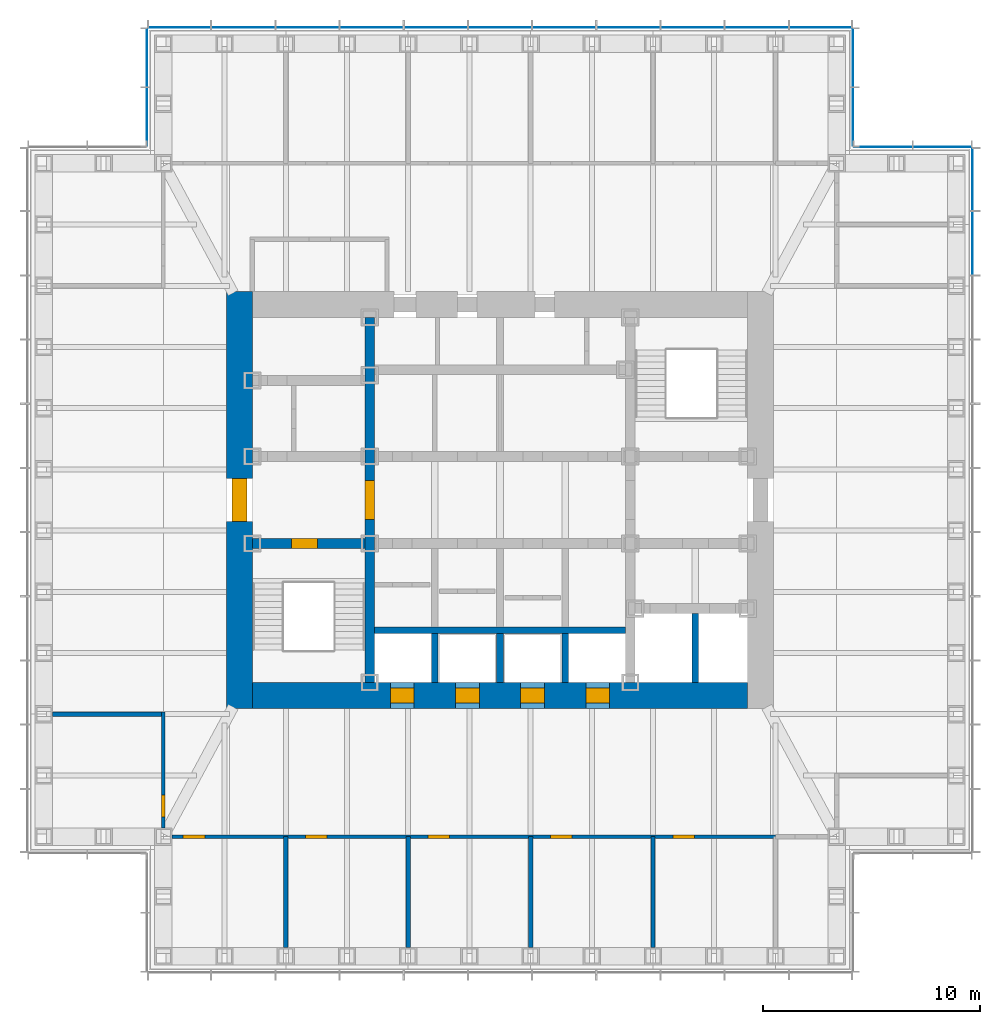
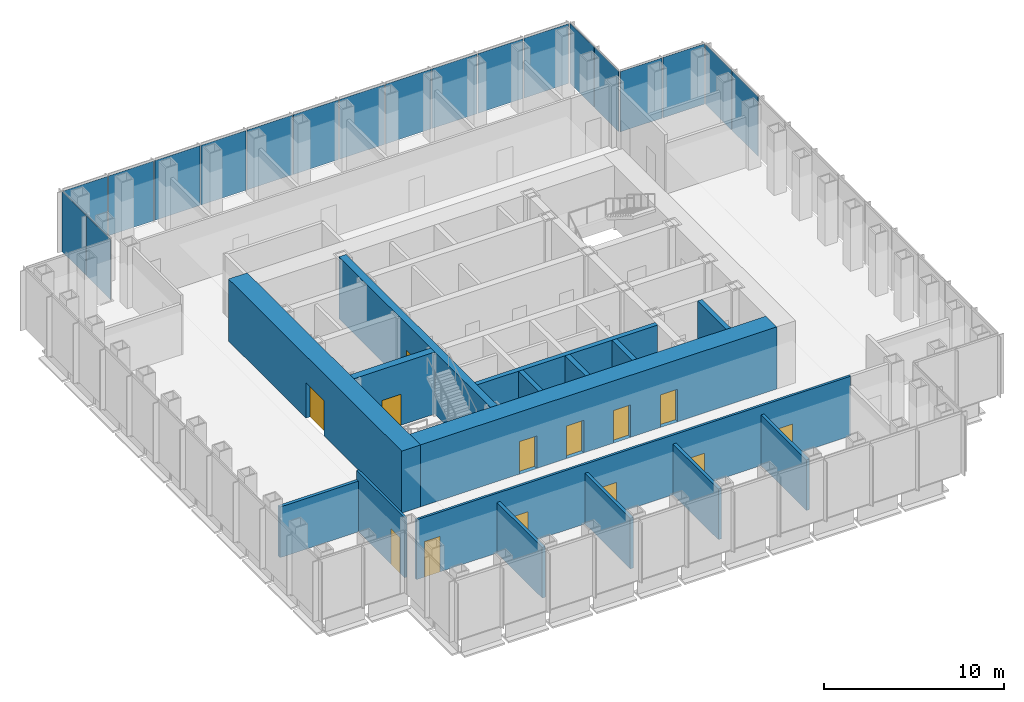
# One storey, part 8 of 16: 19 plates, 16 walls, 13 doors, 13 openings, 5 elements without a shape of their own.
"""IFC4 building model written with IfcOpenShell, lengths in metres."""

from ifc_helpers import new_model, si_unit, direction, frame, frame_2d, origin, origin_2d, place, context, subcontext, project, spatial, rectangle, extrude, material, layer, layer_set, type_object, element, fill, aggregate, save


model = new_model("IFC4")

# Units and contexts
model_context = context("Model", 3, precision=1e-05, world=origin(), true_north=direction((0.0, 1.0)))
body_context = subcontext(model_context, "Body", "Model", "MODEL_VIEW")
ifc_project = project(units=[si_unit("LENGTHUNIT", "METRE"), si_unit("AREAUNIT", "SQUARE_METRE"), si_unit("VOLUMEUNIT", "CUBIC_METRE"), si_unit("PLANEANGLEUNIT", "RADIAN"), si_unit("MASSUNIT", "GRAM", prefix="KILO")], contexts=[model_context])

# Site, building, storey
site_placement = place(None, origin())
site = spatial("IfcSite", under=ifc_project, at=site_placement, CompositionType="ELEMENT")
building_placement = place(site_placement, origin())
building = spatial("IfcBuilding", under=site, at=building_placement, Name="Daluyong Arena Tower", CompositionType="ELEMENT")
storey_placement = place(building_placement, frame((0.0, 0.0, 227.5)))
storey = spatial("IfcBuildingStorey", under=building, at=storey_placement, Name="L51", CompositionType="ELEMENT", Elevation=227.5)

# Curtain wall, plates
ifc_material_1 = material(Name="Bronze anodised aluminium and glass", Category="aluminium")
curtain_wall_type_1 = type_object("IfcCurtainWallType", Name="Curtain wall CW3", PredefinedType="USERDEFINED", material=ifc_material_1)
curtain_wall_1_placement = place(storey_placement, origin())
curtain_wall_1 = element("IfcCurtainWall", 1, at=curtain_wall_1_placement, inside=storey, type_object=curtain_wall_type_1, Name="curtain wall L51 E", ObjectType="UNITISED CURTAIN WALL", PredefinedType="USERDEFINED")
ifc_material_2 = material(Name="Tinted double glazed unit", Category="glass")
ifc_layer_1 = layer(ifc_material_2, 0.030029296875)
ifc_layer_set_1 = layer_set([ifc_layer_1], Name="Tinted double glazed unit")
plate_type_1 = type_object("IfcPlateType", Name="CW3 panel 30", PredefinedType="CURTAIN_PANEL", material=ifc_layer_set_1)
plate_1_placement = place(storey_placement, frame((77.75, 91.818115234375, 0.0), z_axis=(0.0, 0.0, 1.0), x_axis=(0.0, 1.0, 0.0)))
plate_1 = element("IfcPlate", 2, at=plate_1_placement, type_object=plate_type_1, Name="curtain wall L51 E panel 10", PredefinedType="CURTAIN_PANEL", context=body_context, shape_type="SweptSolid", body=[
    extrude(rectangle(XDim=2.884521484375, YDim=0.030029296875, at=origin_2d()), origin(), (0.0, 0.0, 1.0), 4.0400390625),
])
plate_2_placement = place(storey_placement, frame((77.75, 94.755126953125, 0.0), z_axis=(0.0, 0.0, 1.0), x_axis=(0.0, 1.0, 0.0)))
plate_2 = element("IfcPlate", 3, at=plate_2_placement, type_object=plate_type_1, Name="curtain wall L51 E panel 11", PredefinedType="CURTAIN_PANEL", context=body_context, shape_type="SweptSolid", body=[
    extrude(rectangle(XDim=2.849609375, YDim=0.030029296875, at=origin_2d()), origin(), (0.0, 0.0, 1.0), 4.0400390625),
])
aggregate(curtain_wall_1, [plate_1, plate_2])

curtain_wall_2_placement = place(storey_placement, origin())
curtain_wall_2 = element("IfcCurtainWall", 4, at=curtain_wall_2_placement, inside=storey, type_object=curtain_wall_type_1, Name="curtain wall L51 N", ObjectType="UNITISED CURTAIN WALL", PredefinedType="USERDEFINED")
plate_3_placement = place(storey_placement, frame((70.755126953125, 101.75, 0.0), z_axis=(0.0, 0.0, 1.0), x_axis=(-1.0, 0.0, 0.0)))
plate_3 = element("IfcPlate", 5, at=plate_3_placement, type_object=plate_type_1, Name="curtain wall L51 N panel 1", PredefinedType="CURTAIN_PANEL", context=body_context, shape_type="SweptSolid", body=[
    extrude(rectangle(XDim=2.849609375, YDim=0.030029296875, at=origin_2d()), origin(), (0.0, 0.0, 1.0), 4.0400390625),
])
plate_4_placement = place(storey_placement, frame((67.818115234375, 101.75, 0.0), z_axis=(0.0, 0.0, 1.0), x_axis=(-1.0, 0.0, 0.0)))
plate_4 = element("IfcPlate", 6, at=plate_4_placement, type_object=plate_type_1, Name="curtain wall L51 N panel 2", PredefinedType="CURTAIN_PANEL", context=body_context, shape_type="SweptSolid", body=[
    extrude(rectangle(XDim=2.884521484375, YDim=0.030029296875, at=origin_2d()), origin(), (0.0, 0.0, 1.0), 4.0400390625),
])
plate_5_placement = place(storey_placement, frame((64.863525390625, 101.75, 0.0), z_axis=(0.0, 0.0, 1.0), x_axis=(-1.0, 0.0, 0.0)))
plate_5 = element("IfcPlate", 7, at=plate_5_placement, type_object=plate_type_1, Name="curtain wall L51 N panel 3", PredefinedType="CURTAIN_PANEL", context=body_context, shape_type="SweptSolid", body=[
    extrude(rectangle(XDim=2.884521484375, YDim=0.030029296875, at=origin_2d()), origin(), (0.0, 0.0, 1.0), 4.0400390625),
])
plate_6_placement = place(storey_placement, frame((61.9091796875, 101.75, 0.0), z_axis=(0.0, 0.0, 1.0), x_axis=(-1.0, 0.0, 0.0)))
plate_6 = element("IfcPlate", 8, at=plate_6_placement, type_object=plate_type_1, Name="curtain wall L51 N panel 4", PredefinedType="CURTAIN_PANEL", context=body_context, shape_type="SweptSolid", body=[
    extrude(rectangle(XDim=2.884521484375, YDim=0.030029296875, at=origin_2d()), origin(), (0.0, 0.0, 1.0), 4.0400390625),
])
plate_7_placement = place(storey_placement, frame((58.95458984375, 101.75, 0.0), z_axis=(0.0, 0.0, 1.0), x_axis=(-1.0, 0.0, 0.0)))
plate_7 = element("IfcPlate", 9, at=plate_7_placement, type_object=plate_type_1, Name="curtain wall L51 N panel 5", PredefinedType="CURTAIN_PANEL", context=body_context, shape_type="SweptSolid", body=[
    extrude(rectangle(XDim=2.884521484375, YDim=0.030029296875, at=origin_2d()), origin(), (0.0, 0.0, 1.0), 4.0400390625),
])
plate_8_placement = place(storey_placement, frame((56.0, 101.75, 0.0), z_axis=(0.0, 0.0, 1.0), x_axis=(-1.0, 0.0, 0.0)))
plate_8 = element("IfcPlate", 10, at=plate_8_placement, type_object=plate_type_1, Name="curtain wall L51 N panel 6", PredefinedType="CURTAIN_PANEL", context=body_context, shape_type="SweptSolid", body=[
    extrude(rectangle(XDim=2.884521484375, YDim=0.030029296875, at=origin_2d()), origin(), (0.0, 0.0, 1.0), 4.0400390625),
])
plate_9_placement = place(storey_placement, frame((53.04541015625, 101.75, 0.0), z_axis=(0.0, 0.0, 1.0), x_axis=(-1.0, 0.0, 0.0)))
plate_9 = element("IfcPlate", 11, at=plate_9_placement, type_object=plate_type_1, Name="curtain wall L51 N panel 7", PredefinedType="CURTAIN_PANEL", context=body_context, shape_type="SweptSolid", body=[
    extrude(rectangle(XDim=2.884521484375, YDim=0.030029296875, at=origin_2d()), origin(), (0.0, 0.0, 1.0), 4.0400390625),
])
plate_10_placement = place(storey_placement, frame((50.0908203125, 101.75, 0.0), z_axis=(0.0, 0.0, 1.0), x_axis=(-1.0, 0.0, 0.0)))
plate_10 = element("IfcPlate", 12, at=plate_10_placement, type_object=plate_type_1, Name="curtain wall L51 N panel 8", PredefinedType="CURTAIN_PANEL", context=body_context, shape_type="SweptSolid", body=[
    extrude(rectangle(XDim=2.884521484375, YDim=0.030029296875, at=origin_2d()), origin(), (0.0, 0.0, 1.0), 4.0400390625),
])
plate_11_placement = place(storey_placement, frame((47.136474609375, 101.75, 0.0), z_axis=(0.0, 0.0, 1.0), x_axis=(-1.0, 0.0, 0.0)))
plate_11 = element("IfcPlate", 13, at=plate_11_placement, type_object=plate_type_1, Name="curtain wall L51 N panel 9", PredefinedType="CURTAIN_PANEL", context=body_context, shape_type="SweptSolid", body=[
    extrude(rectangle(XDim=2.884521484375, YDim=0.030029296875, at=origin_2d()), origin(), (0.0, 0.0, 1.0), 4.0400390625),
])
plate_12_placement = place(storey_placement, frame((44.181884765625, 101.75, 0.0), z_axis=(0.0, 0.0, 1.0), x_axis=(-1.0, 0.0, 0.0)))
plate_12 = element("IfcPlate", 14, at=plate_12_placement, type_object=plate_type_1, Name="curtain wall L51 N panel 10", PredefinedType="CURTAIN_PANEL", context=body_context, shape_type="SweptSolid", body=[
    extrude(rectangle(XDim=2.884521484375, YDim=0.030029296875, at=origin_2d()), origin(), (0.0, 0.0, 1.0), 4.0400390625),
])
plate_13_placement = place(storey_placement, frame((41.244873046875, 101.75, 0.0), z_axis=(0.0, 0.0, 1.0), x_axis=(-1.0, 0.0, 0.0)))
plate_13 = element("IfcPlate", 15, at=plate_13_placement, type_object=plate_type_1, Name="curtain wall L51 N panel 11", PredefinedType="CURTAIN_PANEL", context=body_context, shape_type="SweptSolid", body=[
    extrude(rectangle(XDim=2.849609375, YDim=0.030029296875, at=origin_2d()), origin(), (0.0, 0.0, 1.0), 4.0400390625),
])
aggregate(curtain_wall_2, [plate_3, plate_4, plate_5, plate_6, plate_7, plate_8, plate_9, plate_10, plate_11, plate_12, plate_13])

ifc_material_3 = material(Name="Bronze anodised aluminium and glass", Category="aluminium")
curtain_wall_type_2 = type_object("IfcCurtainWallType", Name="Curtain wall CW7", PredefinedType="USERDEFINED", material=ifc_material_3)
curtain_wall_3_placement = place(storey_placement, origin())
curtain_wall_3 = element("IfcCurtainWall", 16, at=curtain_wall_3_placement, inside=storey, type_object=curtain_wall_type_2, Name="curtain wall L51 NE-N", ObjectType="UNITISED CURTAIN WALL", PredefinedType="USERDEFINED")
ifc_material_4 = material(Name="Tinted double glazed unit", Category="glass")
ifc_layer_2 = layer(ifc_material_4, 0.028076171875)
ifc_layer_set_2 = layer_set([ifc_layer_2], Name="Tinted double glazed unit")
plate_type_2 = type_object("IfcPlateType", Name="CW7 panel 28", PredefinedType="CURTAIN_PANEL", material=ifc_layer_set_2)
plate_14_placement = place(storey_placement, frame((76.360107421875, 96.25, 0.0), z_axis=(0.0, 0.0, 1.0), x_axis=(-1.0, 0.0, 0.0)))
plate_14 = element("IfcPlate", 17, at=plate_14_placement, type_object=plate_type_2, Name="curtain wall L51 NE-N panel 1", PredefinedType="CURTAIN_PANEL", context=body_context, shape_type="SweptSolid", body=[
    extrude(rectangle(XDim=2.659912109375, YDim=0.028076171875, at=origin_2d()), origin(), (0.0, 0.0, 1.0), 4.080078125),
])
plate_15_placement = place(storey_placement, frame((73.639892578125, 96.25, 0.0), z_axis=(0.0, 0.0, 1.0), x_axis=(-1.0, 0.0, 0.0)))
plate_15 = element("IfcPlate", 18, at=plate_15_placement, type_object=plate_type_2, Name="curtain wall L51 NE-N panel 2", PredefinedType="CURTAIN_PANEL", context=body_context, shape_type="SweptSolid", body=[
    extrude(rectangle(XDim=2.659912109375, YDim=0.028076171875, at=origin_2d()), origin(), (0.0, 0.0, 1.0), 4.080078125),
])
aggregate(curtain_wall_3, [plate_14, plate_15])

curtain_wall_4_placement = place(storey_placement, origin())
curtain_wall_4 = element("IfcCurtainWall", 19, at=curtain_wall_4_placement, inside=storey, type_object=curtain_wall_type_2, Name="curtain wall L51 NE-E", ObjectType="UNITISED CURTAIN WALL", PredefinedType="USERDEFINED")
plate_16_placement = place(storey_placement, frame((72.25, 97.639892578125, 0.0), z_axis=(0.0, 0.0, 1.0), x_axis=(0.0, 1.0, 0.0)))
plate_16 = element("IfcPlate", 20, at=plate_16_placement, type_object=plate_type_2, Name="curtain wall L51 NE-E panel 1", PredefinedType="CURTAIN_PANEL", context=body_context, shape_type="SweptSolid", body=[
    extrude(rectangle(XDim=2.659912109375, YDim=0.028076171875, at=origin_2d()), origin(), (0.0, 0.0, 1.0), 4.080078125),
])
plate_17_placement = place(storey_placement, frame((72.25, 100.360107421875, 0.0), z_axis=(0.0, 0.0, 1.0), x_axis=(0.0, 1.0, 0.0)))
plate_17 = element("IfcPlate", 21, at=plate_17_placement, type_object=plate_type_2, Name="curtain wall L51 NE-E panel 2", PredefinedType="CURTAIN_PANEL", context=body_context, shape_type="SweptSolid", body=[
    extrude(rectangle(XDim=2.659912109375, YDim=0.028076171875, at=origin_2d()), origin(), (0.0, 0.0, 1.0), 4.080078125),
])
aggregate(curtain_wall_4, [plate_16, plate_17])

curtain_wall_5_placement = place(storey_placement, origin())
curtain_wall_5 = element("IfcCurtainWall", 22, at=curtain_wall_5_placement, inside=storey, type_object=curtain_wall_type_2, Name="curtain wall L51 NW-W", ObjectType="UNITISED CURTAIN WALL", PredefinedType="USERDEFINED")
plate_18_placement = place(storey_placement, frame((39.75, 100.360107421875, 0.0), z_axis=(0.0, 0.0, 1.0), x_axis=(0.0, -1.0, 0.0)))
plate_18 = element("IfcPlate", 23, at=plate_18_placement, type_object=plate_type_2, Name="curtain wall L51 NW-W panel 1", PredefinedType="CURTAIN_PANEL", context=body_context, shape_type="SweptSolid", body=[
    extrude(rectangle(XDim=2.659912109375, YDim=0.028076171875, at=origin_2d()), origin(), (0.0, 0.0, 1.0), 4.080078125),
])
plate_19_placement = place(storey_placement, frame((39.75, 97.639892578125, 0.0), z_axis=(0.0, 0.0, 1.0), x_axis=(0.0, -1.0, 0.0)))
plate_19 = element("IfcPlate", 24, at=plate_19_placement, type_object=plate_type_2, Name="curtain wall L51 NW-W panel 2", PredefinedType="CURTAIN_PANEL", context=body_context, shape_type="SweptSolid", body=[
    extrude(rectangle(XDim=2.659912109375, YDim=0.028076171875, at=origin_2d()), origin(), (0.0, 0.0, 1.0), 4.080078125),
])
aggregate(curtain_wall_5, [plate_18, plate_19])

# Wall, opening, door
ifc_material_5 = material(Name="Concrete fc' 45 MPa", Category="concrete")
ifc_layer_3 = layer(ifc_material_5, 0.449951171875)
ifc_layer_set_3 = layer_set([ifc_layer_3], Name="Concrete fc' 45 MPa")
wall_type_1 = type_object("IfcWallType", Name="Core inner wall 450", PredefinedType="SHEAR", material=ifc_layer_set_3)
wall_1_placement = place(storey_placement, frame((50.0, 71.60009765625, 0.0), z_axis=(0.0, 0.0, 1.0), x_axis=(0.0, 1.0, 0.0)))
wall_1 = element("IfcWall", 25, at=wall_1_placement, inside=storey, type_object=wall_type_1, Name="core inner wall at L51", PredefinedType="SHEAR", context=body_context, shape_type="SweptSolid", body=[
    extrude(rectangle(XDim=16.7998046875, YDim=0.449951171875, at=frame_2d((8.39990234375, 0.0))), origin(), (0.0, 0.0, 1.0), 4.199951171875),
])
opening_1_placement = place(wall_1_placement, frame((7.5, 0.0, 0.0)))
opening_1 = element("IfcOpeningElement", 26, at=opening_1_placement, cuts=wall_1, Name="Opening 51023", PredefinedType="OPENING", context=body_context, shape_type="SweptSolid", body=[
    extrude(rectangle(XDim=1.800048828125, YDim=2.39990234375, at=frame_2d((0.89990234375, 1.199951171875))), frame((0.0, 0.23486328125, 0.0), z_axis=(0.0, -1.0, 0.0), x_axis=(1.0, 0.0, 0.0)), (0.0, 0.0, 1.0), 0.469970703125),
])
ifc_material_6 = material(Name="Steel door, fire rated", Category="steel")
door_type_1 = type_object("IfcDoorType", Name="Lift lobby opening door 1800", OperationType="DOUBLE_DOOR_SINGLE_SWING", PredefinedType="DOOR", material=ifc_material_6)
door_1_placement = place(opening_1_placement, origin())
door_1 = element("IfcDoor", 27, at=door_1_placement, inside=storey, type_object=door_type_1, Name="lift lobby door west 51023", OperationType="DOUBLE_DOOR_SINGLE_SWING", OverallHeight=2.39990234375, OverallWidth=1.800048828125, PredefinedType="DOOR", context=body_context, shape_type="SweptSolid", body=[
    extrude(rectangle(XDim=1.800048828125, YDim=2.39990234375, at=frame_2d((0.89990234375, 1.199951171875))), frame((0.0, 0.224609375, 0.0), z_axis=(0.0, -1.0, 0.0), x_axis=(1.0, 0.0, 0.0)), (0.0, 0.0, 1.0), 0.449462890625),
])
fill(opening_1, door_1)

wall_2_placement = place(storey_placement, frame((44.60009765625, 78.0, 0.0), z_axis=(0.0, 0.0, 1.0), x_axis=(1.0, 0.0, 0.0)))
wall_2 = element("IfcWall", 28, at=wall_2_placement, inside=storey, type_object=wall_type_1, Name="core inner wall at L51", PredefinedType="SHEAR", context=body_context, shape_type="SweptSolid", body=[
    extrude(rectangle(XDim=5.1748046875, YDim=0.449951171875, at=frame_2d((2.58740234375, 0.0))), origin(), (0.0, 0.0, 1.0), 4.199951171875),
])
opening_2_placement = place(wall_2_placement, frame((1.800048828125, 0.0, 0.0)))
opening_2 = element("IfcOpeningElement", 29, at=opening_2_placement, cuts=wall_2, Name="Opening 51019", PredefinedType="OPENING", context=body_context, shape_type="SweptSolid", body=[
    extrude(rectangle(XDim=1.199951171875, YDim=2.10009765625, at=frame_2d((0.60009765625, 1.050048828125))), frame((0.0, 0.23486328125, 0.0), z_axis=(0.0, -1.0, 0.0), x_axis=(1.0, 0.0, 0.0)), (0.0, 0.0, 1.0), 0.469970703125),
])
ifc_material_7 = material(Name="Steel door, fire rated", Category="steel")
door_type_2 = type_object("IfcDoorType", Name="Stair door 1200", OperationType="SINGLE_SWING_LEFT", PredefinedType="DOOR", material=ifc_material_7)
door_2_placement = place(opening_2_placement, origin())
door_2 = element("IfcDoor", 30, at=door_2_placement, inside=storey, type_object=door_type_2, Name="stair A door 51019", OperationType="SINGLE_SWING_LEFT", OverallHeight=2.10009765625, OverallWidth=1.199951171875, PredefinedType="DOOR", context=body_context, shape_type="SweptSolid", body=[
    extrude(rectangle(XDim=1.199951171875, YDim=2.10009765625, at=frame_2d((0.60009765625, 1.050048828125))), frame((0.0, 0.224609375, 0.0), z_axis=(0.0, -1.0, 0.0), x_axis=(1.0, 0.0, 0.0)), (0.0, 0.0, 1.0), 0.449462890625),
])
fill(opening_2, door_2)

ifc_material_8 = material(Name="Concrete fc' 60 MPa", Category="concrete")
ifc_layer_4 = layer(ifc_material_8, 1.199951171875)
ifc_layer_set_4 = layer_set([ifc_layer_4], Name="Concrete fc' 60 MPa")
wall_type_2 = type_object("IfcWallType", Name="Core wall 1200", PredefinedType="SHEAR", material=ifc_layer_set_4)
wall_3_placement = place(storey_placement, frame((44.0, 70.39990234375, 0.0), z_axis=(0.0, 0.0, 1.0), x_axis=(0.0, 1.0, 0.0)))
wall_3 = element("IfcWall", 31, at=wall_3_placement, inside=storey, type_object=wall_type_2, Name="core wall at L51", PredefinedType="SHEAR", context=body_context, shape_type="SweptSolid", body=[
    extrude(rectangle(XDim=19.2001953125, YDim=1.199951171875, at=frame_2d((9.60009765625, 0.0))), origin(), (0.0, 0.0, 1.0), 4.199951171875),
])
opening_3_placement = place(wall_3_placement, frame((8.60009765625, 0.0, 0.0)))
opening_3 = element("IfcOpeningElement", 32, at=opening_3_placement, cuts=wall_3, Name="Opening 51021", PredefinedType="OPENING", context=body_context, shape_type="SweptSolid", body=[
    extrude(rectangle(XDim=2.0, YDim=2.39990234375, at=frame_2d((1.0, 1.199951171875))), frame((0.0, 0.60986328125, 0.0), z_axis=(0.0, -1.0, 0.0), x_axis=(1.0, 0.0, 0.0)), (0.0, 0.0, 1.0), 1.219970703125),
])
ifc_material_9 = material(Name="Steel door, fire rated", Category="steel")
door_type_3 = type_object("IfcDoorType", Name="Core lobby double door 2000", OperationType="DOUBLE_DOOR_SINGLE_SWING", PredefinedType="DOOR", material=ifc_material_9)
door_3_placement = place(opening_3_placement, origin())
door_3 = element("IfcDoor", 33, at=door_3_placement, inside=storey, type_object=door_type_3, Name="core lobby door west 51021", OperationType="DOUBLE_DOOR_SINGLE_SWING", OverallHeight=2.39990234375, OverallWidth=2.0, PredefinedType="DOOR", context=body_context, shape_type="SweptSolid", body=[
    extrude(rectangle(XDim=2.0, YDim=2.39990234375, at=frame_2d((1.0, 1.199951171875))), frame((0.0, 0.35009765625, 0.0), z_axis=(0.0, -1.0, 0.0), x_axis=(1.0, 0.0, 0.0)), (0.0, 0.0, 1.0), 0.699951171875),
])
fill(opening_3, door_3)

# Wall, openings, doors
wall_4_placement = place(storey_placement, frame((44.60009765625, 71.0, 0.0), z_axis=(0.0, 0.0, 1.0), x_axis=(1.0, 0.0, 0.0)))
wall_4 = element("IfcWall", 34, at=wall_4_placement, inside=storey, type_object=wall_type_2, Name="core wall at L51", PredefinedType="SHEAR", context=body_context, shape_type="SweptSolid", body=[
    extrude(rectangle(XDim=22.7998046875, YDim=1.199951171875, at=frame_2d((11.39990234375, 0.0))), origin(), (0.0, 0.0, 1.0), 4.199951171875),
])
opening_4_placement = place(wall_4_placement, frame((6.35009765625, 0.0, 0.0)))
opening_4 = element("IfcOpeningElement", 35, at=opening_4_placement, cuts=wall_4, Name="Opening 51026", PredefinedType="OPENING", context=body_context, shape_type="SweptSolid", body=[
    extrude(rectangle(XDim=1.10009765625, YDim=2.199951171875, at=frame_2d((0.550048828125, 1.10009765625))), frame((0.0, 0.60986328125, 0.0), z_axis=(0.0, -1.0, 0.0), x_axis=(1.0, 0.0, 0.0)), (0.0, 0.0, 1.0), 1.219970703125),
])
opening_5_placement = place(wall_4_placement, frame((9.35009765625, 0.0, 0.0)))
opening_5 = element("IfcOpeningElement", 36, at=opening_5_placement, cuts=wall_4, Name="Opening 51027", PredefinedType="OPENING", context=body_context, shape_type="SweptSolid", body=[
    extrude(rectangle(XDim=1.10009765625, YDim=2.199951171875, at=frame_2d((0.550048828125, 1.10009765625))), frame((0.0, 0.60986328125, 0.0), z_axis=(0.0, -1.0, 0.0), x_axis=(1.0, 0.0, 0.0)), (0.0, 0.0, 1.0), 1.219970703125),
])
opening_6_placement = place(wall_4_placement, frame((12.35009765625, 0.0, 0.0)))
opening_6 = element("IfcOpeningElement", 37, at=opening_6_placement, cuts=wall_4, Name="Opening 51028", PredefinedType="OPENING", context=body_context, shape_type="SweptSolid", body=[
    extrude(rectangle(XDim=1.10009765625, YDim=2.199951171875, at=frame_2d((0.550048828125, 1.10009765625))), frame((0.0, 0.60986328125, 0.0), z_axis=(0.0, -1.0, 0.0), x_axis=(1.0, 0.0, 0.0)), (0.0, 0.0, 1.0), 1.219970703125),
])
opening_7_placement = place(wall_4_placement, frame((15.35009765625, 0.0, 0.0)))
opening_7 = element("IfcOpeningElement", 38, at=opening_7_placement, cuts=wall_4, Name="Opening 51029", PredefinedType="OPENING", context=body_context, shape_type="SweptSolid", body=[
    extrude(rectangle(XDim=1.10009765625, YDim=2.199951171875, at=frame_2d((0.550048828125, 1.10009765625))), frame((0.0, 0.60986328125, 0.0), z_axis=(0.0, -1.0, 0.0), x_axis=(1.0, 0.0, 0.0)), (0.0, 0.0, 1.0), 1.219970703125),
])
ifc_material_10 = material(Name="Steel door, fire rated", Category="steel")
door_type_4 = type_object("IfcDoorType", Name="Lift landing door 1100", OperationType="SLIDING_TO_LEFT", PredefinedType="DOOR", material=ifc_material_10)
door_4_placement = place(opening_4_placement, origin())
door_4 = element("IfcDoor", 39, at=door_4_placement, inside=storey, type_object=door_type_4, Name="lift landing door C1 51026", OperationType="SLIDING_TO_LEFT", OverallHeight=2.199951171875, OverallWidth=1.10009765625, PredefinedType="DOOR", context=body_context, shape_type="SweptSolid", body=[
    extrude(rectangle(XDim=1.10009765625, YDim=2.199951171875, at=frame_2d((0.550048828125, 1.10009765625))), frame((0.0, 0.35009765625, 0.0), z_axis=(0.0, -1.0, 0.0), x_axis=(1.0, 0.0, 0.0)), (0.0, 0.0, 1.0), 0.699951171875),
])
fill(opening_4, door_4)
door_5_placement = place(opening_5_placement, origin())
door_5 = element("IfcDoor", 40, at=door_5_placement, inside=storey, type_object=door_type_4, Name="lift landing door C2 51027", OperationType="SLIDING_TO_LEFT", OverallHeight=2.199951171875, OverallWidth=1.10009765625, PredefinedType="DOOR", context=body_context, shape_type="SweptSolid", body=[
    extrude(rectangle(XDim=1.10009765625, YDim=2.199951171875, at=frame_2d((0.550048828125, 1.10009765625))), frame((0.0, 0.35009765625, 0.0), z_axis=(0.0, -1.0, 0.0), x_axis=(1.0, 0.0, 0.0)), (0.0, 0.0, 1.0), 0.699951171875),
])
fill(opening_5, door_5)
door_6_placement = place(opening_6_placement, origin())
door_6 = element("IfcDoor", 41, at=door_6_placement, inside=storey, type_object=door_type_4, Name="lift landing door C3 51028", OperationType="SLIDING_TO_LEFT", OverallHeight=2.199951171875, OverallWidth=1.10009765625, PredefinedType="DOOR", context=body_context, shape_type="SweptSolid", body=[
    extrude(rectangle(XDim=1.10009765625, YDim=2.199951171875, at=frame_2d((0.550048828125, 1.10009765625))), frame((0.0, 0.35009765625, 0.0), z_axis=(0.0, -1.0, 0.0), x_axis=(1.0, 0.0, 0.0)), (0.0, 0.0, 1.0), 0.699951171875),
])
fill(opening_6, door_6)
door_7_placement = place(opening_7_placement, origin())
door_7 = element("IfcDoor", 42, at=door_7_placement, inside=storey, type_object=door_type_4, Name="lift landing door C4 51029", OperationType="SLIDING_TO_LEFT", OverallHeight=2.199951171875, OverallWidth=1.10009765625, PredefinedType="DOOR", context=body_context, shape_type="SweptSolid", body=[
    extrude(rectangle(XDim=1.10009765625, YDim=2.199951171875, at=frame_2d((0.550048828125, 1.10009765625))), frame((0.0, 0.35009765625, 0.0), z_axis=(0.0, -1.0, 0.0), x_axis=(1.0, 0.0, 0.0)), (0.0, 0.0, 1.0), 0.699951171875),
])
fill(opening_7, door_7)

ifc_material_11 = material(Name="Glazed aluminium partition", Category="aluminium")
ifc_layer_5 = layer(ifc_material_11, 0.14990234375)
ifc_layer_set_5 = layer_set([ifc_layer_5], Name="Glazed aluminium partition")
wall_type_3 = type_object("IfcWallType", Name="Glazed partition 150", PredefinedType="PARTITIONING", material=ifc_layer_set_5)
wall_5_placement = place(storey_placement, frame((40.89990234375, 64.5, 0.0), z_axis=(0.0, 0.0, 1.0), x_axis=(1.0, 0.0, 0.0)))
wall_5 = element("IfcWall", 43, at=wall_5_placement, inside=storey, type_object=wall_type_3, Name="glazed partition at L51", PredefinedType="PARTITIONING", context=body_context, shape_type="SweptSolid", body=[
    extrude(rectangle(XDim=27.781982421875, YDim=0.14990234375, at=frame_2d((13.89111328125, 0.0))), origin(), (0.0, 0.0, 1.0), 4.0400390625),
])
opening_8_placement = place(wall_5_placement, frame((0.509033203125, 0.0, 0.0)))
opening_8 = element("IfcOpeningElement", 44, at=opening_8_placement, cuts=wall_5, Name="Opening 51032", PredefinedType="OPENING", context=body_context, shape_type="SweptSolid", body=[
    extrude(rectangle(XDim=1.0, YDim=2.39990234375, at=frame_2d((0.5, 1.199951171875))), frame((0.0, 0.0849609375, 0.0), z_axis=(0.0, -1.0, 0.0), x_axis=(1.0, 0.0, 0.0)), (0.0, 0.0, 1.0), 0.169921875),
])
opening_9_placement = place(wall_5_placement, frame((6.1455078125, 0.0, 0.0)))
opening_9 = element("IfcOpeningElement", 45, at=opening_9_placement, cuts=wall_5, Name="Opening 51033", PredefinedType="OPENING", context=body_context, shape_type="SweptSolid", body=[
    extrude(rectangle(XDim=1.0, YDim=2.10009765625, at=frame_2d((0.5, 1.050048828125))), frame((0.0, 0.0849609375, 0.0), z_axis=(0.0, -1.0, 0.0), x_axis=(1.0, 0.0, 0.0)), (0.0, 0.0, 1.0), 0.169921875),
])
opening_10_placement = place(wall_5_placement, frame((11.78173828125, 0.0, 0.0)))
opening_10 = element("IfcOpeningElement", 46, at=opening_10_placement, cuts=wall_5, Name="Opening 51034", PredefinedType="OPENING", context=body_context, shape_type="SweptSolid", body=[
    extrude(rectangle(XDim=1.0, YDim=2.10009765625, at=frame_2d((0.5, 1.050048828125))), frame((0.0, 0.0849609375, 0.0), z_axis=(0.0, -1.0, 0.0), x_axis=(1.0, 0.0, 0.0)), (0.0, 0.0, 1.0), 0.169921875),
])
opening_11_placement = place(wall_5_placement, frame((17.418212890625, 0.0, 0.0)))
opening_11 = element("IfcOpeningElement", 47, at=opening_11_placement, cuts=wall_5, Name="Opening 51035", PredefinedType="OPENING", context=body_context, shape_type="SweptSolid", body=[
    extrude(rectangle(XDim=1.0, YDim=2.10009765625, at=frame_2d((0.5, 1.050048828125))), frame((0.0, 0.0849609375, 0.0), z_axis=(0.0, -1.0, 0.0), x_axis=(1.0, 0.0, 0.0)), (0.0, 0.0, 1.0), 0.169921875),
])
opening_12_placement = place(wall_5_placement, frame((23.054443359375, 0.0, 0.0)))
opening_12 = element("IfcOpeningElement", 48, at=opening_12_placement, cuts=wall_5, Name="Opening 51036", PredefinedType="OPENING", context=body_context, shape_type="SweptSolid", body=[
    extrude(rectangle(XDim=1.0, YDim=2.10009765625, at=frame_2d((0.5, 1.050048828125))), frame((0.0, 0.0849609375, 0.0), z_axis=(0.0, -1.0, 0.0), x_axis=(1.0, 0.0, 0.0)), (0.0, 0.0, 1.0), 0.169921875),
])
ifc_material_12 = material(Name="Glazed aluminium door", Category="aluminium")
door_type_5 = type_object("IfcDoorType", Name="Meeting room glazed door 1000", OperationType="SINGLE_SWING_RIGHT", PredefinedType="DOOR", material=ifc_material_12)
door_8_placement = place(opening_8_placement, origin())
door_8 = element("IfcDoor", 49, at=door_8_placement, inside=storey, type_object=door_type_5, Name="meeting room door 51032", OperationType="SINGLE_SWING_RIGHT", OverallHeight=2.39990234375, OverallWidth=1.0, PredefinedType="DOOR", context=body_context, shape_type="SweptSolid", body=[
    extrude(rectangle(XDim=1.0, YDim=2.39990234375, at=frame_2d((0.5, 1.199951171875))), frame((0.0, 0.07470703125, 0.0), z_axis=(0.0, -1.0, 0.0), x_axis=(1.0, 0.0, 0.0)), (0.0, 0.0, 1.0), 0.1494140625),
])
fill(opening_8, door_8)
ifc_material_13 = material(Name="Timber door", Category="wood")
door_type_6 = type_object("IfcDoorType", Name="Room door 1000", OperationType="SINGLE_SWING_LEFT", PredefinedType="DOOR", material=ifc_material_13)
door_9_placement = place(opening_9_placement, origin())
door_9 = element("IfcDoor", 50, at=door_9_placement, inside=storey, type_object=door_type_6, Name="office door 51033", OperationType="SINGLE_SWING_LEFT", OverallHeight=2.10009765625, OverallWidth=1.0, PredefinedType="DOOR", context=body_context, shape_type="SweptSolid", body=[
    extrude(rectangle(XDim=1.0, YDim=2.10009765625, at=frame_2d((0.5, 1.050048828125))), frame((0.0, 0.07470703125, 0.0), z_axis=(0.0, -1.0, 0.0), x_axis=(1.0, 0.0, 0.0)), (0.0, 0.0, 1.0), 0.1494140625),
])
fill(opening_9, door_9)
door_10_placement = place(opening_10_placement, origin())
door_10 = element("IfcDoor", 51, at=door_10_placement, inside=storey, type_object=door_type_6, Name="office door 51034", OperationType="SINGLE_SWING_LEFT", OverallHeight=2.10009765625, OverallWidth=1.0, PredefinedType="DOOR", context=body_context, shape_type="SweptSolid", body=[
    extrude(rectangle(XDim=1.0, YDim=2.10009765625, at=frame_2d((0.5, 1.050048828125))), frame((0.0, 0.07470703125, 0.0), z_axis=(0.0, -1.0, 0.0), x_axis=(1.0, 0.0, 0.0)), (0.0, 0.0, 1.0), 0.1494140625),
])
fill(opening_10, door_10)
door_11_placement = place(opening_11_placement, origin())
door_11 = element("IfcDoor", 52, at=door_11_placement, inside=storey, type_object=door_type_6, Name="office door 51035", OperationType="SINGLE_SWING_LEFT", OverallHeight=2.10009765625, OverallWidth=1.0, PredefinedType="DOOR", context=body_context, shape_type="SweptSolid", body=[
    extrude(rectangle(XDim=1.0, YDim=2.10009765625, at=frame_2d((0.5, 1.050048828125))), frame((0.0, 0.07470703125, 0.0), z_axis=(0.0, -1.0, 0.0), x_axis=(1.0, 0.0, 0.0)), (0.0, 0.0, 1.0), 0.1494140625),
])
fill(opening_11, door_11)
door_12_placement = place(opening_12_placement, origin())
door_12 = element("IfcDoor", 53, at=door_12_placement, inside=storey, type_object=door_type_6, Name="office door 51036", OperationType="SINGLE_SWING_LEFT", OverallHeight=2.10009765625, OverallWidth=1.0, PredefinedType="DOOR", context=body_context, shape_type="SweptSolid", body=[
    extrude(rectangle(XDim=1.0, YDim=2.10009765625, at=frame_2d((0.5, 1.050048828125))), frame((0.0, 0.07470703125, 0.0), z_axis=(0.0, -1.0, 0.0), x_axis=(1.0, 0.0, 0.0)), (0.0, 0.0, 1.0), 0.1494140625),
])
fill(opening_12, door_12)

# Wall, opening, door
wall_6_placement = place(storey_placement, frame((40.5, 64.89990234375, 0.0), z_axis=(0.0, 0.0, 1.0), x_axis=(0.0, 1.0, 0.0)))
wall_6 = element("IfcWall", 54, at=wall_6_placement, inside=storey, type_object=wall_type_3, Name="glazed partition at L51", PredefinedType="PARTITIONING", context=body_context, shape_type="SweptSolid", body=[
    extrude(rectangle(XDim=5.33642578125, YDim=0.14990234375, at=frame_2d((2.668212890625, 0.0))), origin(), (0.0, 0.0, 1.0), 4.0400390625),
])
opening_13_placement = place(wall_6_placement, frame((0.509033203125, 0.0, 0.0)))
opening_13 = element("IfcOpeningElement", 55, at=opening_13_placement, cuts=wall_6, Name="Opening 51047", PredefinedType="OPENING", context=body_context, shape_type="SweptSolid", body=[
    extrude(rectangle(XDim=1.0, YDim=2.39990234375, at=frame_2d((0.5, 1.199951171875))), frame((0.0, 0.0849609375, 0.0), z_axis=(0.0, -1.0, 0.0), x_axis=(1.0, 0.0, 0.0)), (0.0, 0.0, 1.0), 0.169921875),
])
door_13_placement = place(opening_13_placement, origin())
door_13 = element("IfcDoor", 56, at=door_13_placement, inside=storey, type_object=door_type_5, Name="meeting room door 51047", OperationType="SINGLE_SWING_RIGHT", OverallHeight=2.39990234375, OverallWidth=1.0, PredefinedType="DOOR", context=body_context, shape_type="SweptSolid", body=[
    extrude(rectangle(XDim=1.0, YDim=2.39990234375, at=frame_2d((0.5, 1.199951171875))), frame((0.0, 0.07470703125, 0.0), z_axis=(0.0, -1.0, 0.0), x_axis=(1.0, 0.0, 0.0)), (0.0, 0.0, 1.0), 0.1494140625),
])
fill(opening_13, door_13)

# Walls
ifc_material_14 = material(Name="Concrete fc' 45 MPa", Category="concrete")
ifc_layer_6 = layer(ifc_material_14, 0.300048828125)
ifc_layer_set_6 = layer_set([ifc_layer_6], Name="Concrete fc' 45 MPa")
wall_type_4 = type_object("IfcWallType", Name="Lift shaft wall 300", PredefinedType="SHEAR", material=ifc_layer_set_6)
wall_7_placement = place(storey_placement, frame((50.22509765625, 74.0, 0.0), z_axis=(0.0, 0.0, 1.0), x_axis=(1.0, 0.0, 0.0)))
element("IfcWall", 57, at=wall_7_placement, inside=storey, type_object=wall_type_4, Name="lift shaft wall at L51", PredefinedType="SHEAR", context=body_context, shape_type="SweptSolid", body=[
    extrude(rectangle(XDim=11.5498046875, YDim=0.300048828125, at=frame_2d((5.77490234375, 0.0))), origin(), (0.0, 0.0, 1.0), 4.199951171875),
])
for number, where, z_axis, x_axis, name in (
    (58, (53.0, 71.60009765625, 0.0), (0.0, 0.0, 1.0), (0.0, 1.0, 0.0), "lift shaft wall at L51"),
    (59, (56.0, 71.60009765625, 0.0), (0.0, 0.0, 1.0), (0.0, 1.0, 0.0), "lift shaft wall at L51"),
    (60, (59.0, 71.60009765625, 0.0), (0.0, 0.0, 1.0), (0.0, 1.0, 0.0), "lift shaft wall at L51"),
):
    element("IfcWall", number, at=place(storey_placement, frame(where, z_axis=z_axis, x_axis=x_axis)), inside=storey, type_object=wall_type_4, Name=name, PredefinedType="SHEAR", context=body_context, shape_type="SweptSolid", body=[
        extrude(rectangle(XDim=2.25, YDim=0.300048828125, at=frame_2d((1.125, 0.0))), origin(), (0.0, 0.0, 1.0), 4.199951171875),
    ])
wall_8_placement = place(storey_placement, frame((65.0, 71.60009765625, 0.0), z_axis=(0.0, 0.0, 1.0), x_axis=(0.0, 1.0, 0.0)))
element("IfcWall", 61, at=wall_8_placement, inside=storey, type_object=wall_type_4, Name="lift shaft wall at L51", PredefinedType="SHEAR", context=body_context, shape_type="SweptSolid", body=[
    extrude(rectangle(XDim=3.1748046875, YDim=0.300048828125, at=frame_2d((1.58740234375, 0.0))), origin(), (0.0, 0.0, 1.0), 4.199951171875),
])
ifc_material_15 = material(Name="Concrete block partition", Category="concrete")
ifc_layer_7 = layer(ifc_material_15, 0.199951171875)
ifc_layer_set_7 = layer_set([ifc_layer_7], Name="Concrete block partition")
wall_type_5 = type_object("IfcWallType", Name="Partition 200", PredefinedType="PARTITIONING", material=ifc_layer_set_7)
for number, where, z_axis, x_axis, name in (
    (62, (46.136474609375, 59.39990234375, 0.0), (0.0, 0.0, 1.0), (0.0, 1.0, 0.0), "partition at L51"),
    (63, (51.772705078125, 59.39990234375, 0.0), (0.0, 0.0, 1.0), (0.0, 1.0, 0.0), "partition at L51"),
    (64, (57.4091796875, 59.39990234375, 0.0), (0.0, 0.0, 1.0), (0.0, 1.0, 0.0), "partition at L51"),
    (65, (63.04541015625, 59.39990234375, 0.0), (0.0, 0.0, 1.0), (0.0, 1.0, 0.0), "partition at L51"),
    (66, (35.39990234375, 70.136474609375, 0.0), (0.0, 0.0, 1.0), (1.0, 0.0, 0.0), "partition at L51"),
):
    element("IfcWall", number, at=place(storey_placement, frame(where, z_axis=z_axis, x_axis=x_axis)), inside=storey, type_object=wall_type_5, Name=name, PredefinedType="PARTITIONING", context=body_context, shape_type="SweptSolid", body=[
        extrude(rectangle(XDim=5.10009765625, YDim=0.199951171875, at=frame_2d((2.550048828125, 0.0))), origin(), (0.0, 0.0, 1.0), 3.427978515625),
    ])

save(model, "model.ifc")
